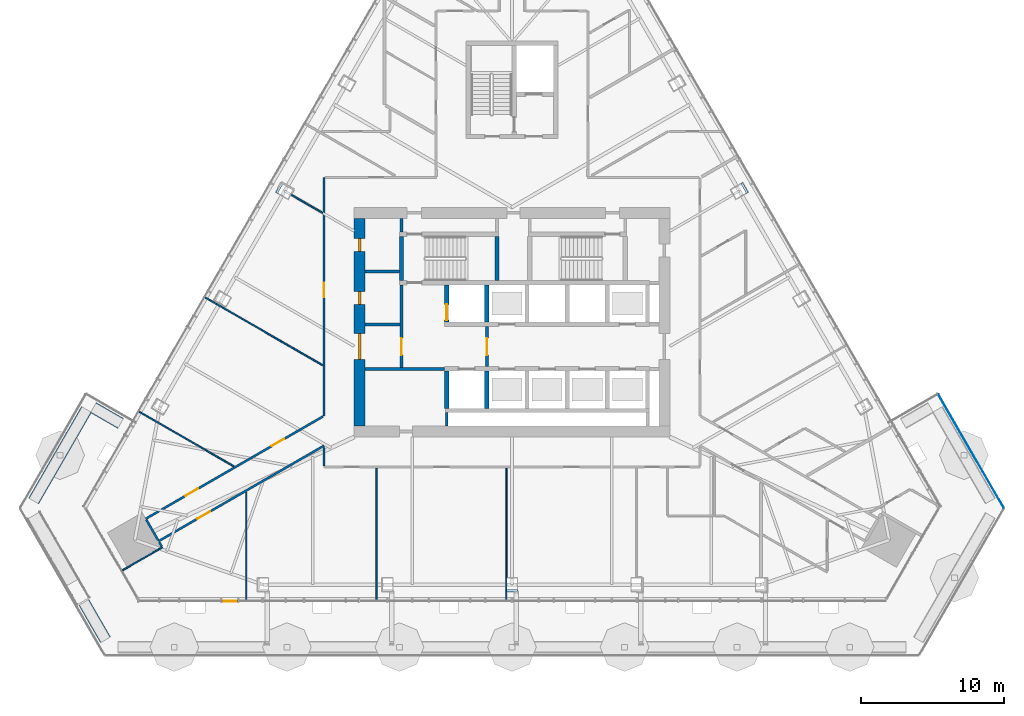
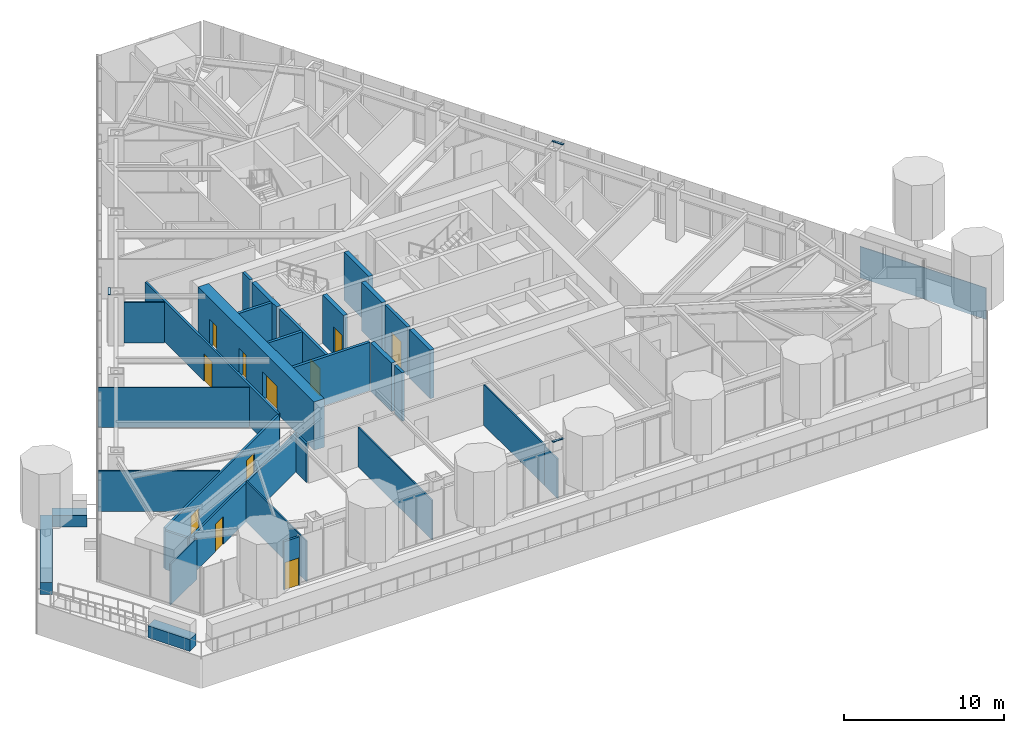
# One storey, part 15 of 24: 32 walls, 11 doors, 4 plates, 11 openings, 1 element without a shape of its own.
"""IFC4 building model written with IfcOpenShell, lengths in metres."""

from ifc_helpers import new_model, si_unit, direction, frame, frame_2d, origin, place, context, subcontext, project, spatial, polyline, rectangle, outline, extrude, material, layer, layer_set, type_object, element, fill, aggregate, save


model = new_model("IFC4")

# Units and contexts
model_context = context("Model", 3, precision=1e-05, world=origin(), true_north=direction((0.0, 1.0)))
body_context = subcontext(model_context, "Body", "Model", "MODEL_VIEW")
ifc_project = project(units=[si_unit("LENGTHUNIT", "METRE"), si_unit("AREAUNIT", "SQUARE_METRE"), si_unit("VOLUMEUNIT", "CUBIC_METRE"), si_unit("PLANEANGLEUNIT", "RADIAN"), si_unit("MASSUNIT", "GRAM", prefix="KILO")], contexts=[model_context])

# Site, building, storey
site_placement = place(None, origin())
site = spatial("IfcSite", under=ifc_project, at=site_placement, CompositionType="ELEMENT")
building_placement = place(site_placement, origin())
building = spatial("IfcBuilding", under=site, at=building_placement, Name="Firuza Gate Tower and Library", CompositionType="ELEMENT")
storey_placement = place(building_placement, frame((0.0, 0.0, 194.800048828125)))
storey = spatial("IfcBuildingStorey", under=building, at=storey_placement, Name="L45", CompositionType="ELEMENT", Elevation=194.800048828125)

# Plates
ifc_material_1 = material(Name="Steel S355", Category="steel")
ifc_layer_1 = layer(ifc_material_1, 0.030029296875)
ifc_layer_set_1 = layer_set([ifc_layer_1], Name="Column infill plate 30 Steel S355")
plate_type_1 = type_object("IfcPlateType", Name="Column infill plate 30 Steel S355", PredefinedType="SHEET", material=ifc_layer_set_1)
placement = place(storey_placement, frame((0.0, 0.0, 3.89990234375)))
element("IfcPlate", 1, at=placement, inside=storey, type_object=plate_type_1, Name="Infill plate L45:S3", PredefinedType="SHEET", context=body_context, shape_type="SweptSolid", body=[
    extrude(outline(polyline([(75.39990234375, 56.198974609375), (75.39990234375, 56.3583984375), (74.60009765625, 56.3583984375), (74.60009765625, 56.198974609375), (75.39990234375, 56.198974609375)])), origin(), (0.0, 0.0, 1.0), 0.030029296875),
])
element("IfcPlate", 2, at=placement, inside=storey, type_object=plate_type_1, Name="Infill plate L45:E3", PredefinedType="SHEET", context=body_context, shape_type="SweptSolid", body=[
    extrude(outline(polyline([(90.21630859375, 84.2470703125), (90.21630859375, 84.2470703125), (90.944091796875, 84.667236328125), (91.34423828125, 83.974365234375), (91.482177734375, 84.05419921875), (91.082275390625, 84.7470703125), (90.21630859375, 84.2470703125)])), origin(), (0.0, 0.0, 1.0), 0.030029296875),
])
element("IfcPlate", 3, at=placement, inside=storey, type_object=plate_type_1, Name="Infill plate L45:W3", PredefinedType="SHEET", context=body_context, shape_type="SweptSolid", body=[
    extrude(outline(polyline([(58.517822265625, 84.05419921875), (58.65576171875, 83.974365234375), (59.055908203125, 84.667236328125), (59.78369140625, 84.2470703125), (59.78369140625, 84.2470703125), (58.917724609375, 84.7470703125), (58.517822265625, 84.05419921875)])), origin(), (0.0, 0.0, 1.0), 0.030029296875),
])
ifc_material_2 = material(Name="Aluminium 6063-T6", Category="aluminium")
ifc_layer_2 = layer(ifc_material_2, 0.050048828125)
ifc_layer_set_2 = layer_set([ifc_layer_2], Name="Tray fascia panel 50")
plate_type_2 = type_object("IfcPlateType", Name="Tray fascia panel 50", PredefinedType="SHEET", material=ifc_layer_set_2)
plate_4_placement = place(storey_placement, frame((109.303955078125, 62.0849609375, -2.400146484375), z_axis=(0.866071736773, 0.499919740322, 0.0), x_axis=(-0.499919740322, 0.866071736773, 0.0)))
element("IfcPlate", 4, at=plate_4_placement, inside=storey, type_object=plate_type_2, Name="Tray fascia L45 5", PredefinedType="SHEET", context=body_context, shape_type="SweptSolid", body=[
    extrude(outline(polyline([(0.0, 0.0), (9.105465509716032, 0.0), (9.105465509716032, 2.400146484375), (0.0, 2.400146484375), (0.0, 0.0)])), origin(), (0.0, 0.0, -1.0), 0.050048828125),
])

# Walls
ifc_material_3 = material(Name="Plasterboard on steel studs", Category="steel")
ifc_layer_3 = layer(ifc_material_3, 0.199951171875)
ifc_layer_set_3 = layer_set([ifc_layer_3], Name="Core partition 200 EI 120")
wall_type_1 = type_object("IfcWallType", Name="Core partition 200 EI 120", PredefinedType="PARTITIONING", material=ifc_layer_set_3)
wall_1_placement = place(storey_placement, frame((64.75, 71.75, 0.0), z_axis=(0.0, 0.0, 1.0), x_axis=(1.0, 0.0, 0.0)))
element("IfcWall", 5, at=wall_1_placement, inside=storey, type_object=wall_type_1, Name="Core partition L45 1", PredefinedType="PARTITIONING", context=body_context, shape_type="SweptSolid", body=[
    extrude(rectangle(XDim=5.550048828125, YDim=0.199951171875, at=frame_2d((2.77490234375, 0.0))), origin(), (0.0, 0.0, 1.0), 3.699951171875),
])
wall_2_placement = place(storey_placement, frame((70.449951171875, 67.75, 0.0), z_axis=(0.0, 0.0, 1.0), x_axis=(0.0, 1.0, 0.0)))
element("IfcWall", 6, at=wall_2_placement, inside=storey, type_object=wall_type_1, Name="Core partition L45 9", PredefinedType="PARTITIONING", context=body_context, shape_type="SweptSolid", body=[
    extrude(rectangle(XDim=0.949951171875, YDim=0.199951171875, at=frame_2d((0.47509765625, 0.0))), origin(), (0.0, 0.0, 1.0), 3.699951171875),
])
ifc_material_4 = material(Name="Plasterboard on steel studs", Category="steel")
ifc_layer_4 = layer(ifc_material_4, 0.199951171875)
ifc_layer_set_4 = layer_set([ifc_layer_4], Name="Core partition 200 EI 60")
wall_type_2 = type_object("IfcWallType", Name="Core partition 200 EI 60", PredefinedType="PARTITIONING", material=ifc_layer_set_4)
wall_3_placement = place(storey_placement, frame((64.75, 74.85009765625, 0.0), z_axis=(0.0, 0.0, 1.0), x_axis=(1.0, 0.0, 0.0)))
element("IfcWall", 7, at=wall_3_placement, inside=storey, type_object=wall_type_2, Name="Core partition L45 3", PredefinedType="PARTITIONING", context=body_context, shape_type="SweptSolid", body=[
    extrude(rectangle(XDim=2.449951171875, YDim=0.199951171875, at=frame_2d((1.22509765625, 0.0))), origin(), (0.0, 0.0, 1.0), 3.699951171875),
])
wall_4_placement = place(storey_placement, frame((64.75, 78.550048828125, 0.0), z_axis=(0.0, 0.0, 1.0), x_axis=(1.0, 0.0, 0.0)))
element("IfcWall", 8, at=wall_4_placement, inside=storey, type_object=wall_type_2, Name="Core partition L45 6", PredefinedType="PARTITIONING", context=body_context, shape_type="SweptSolid", body=[
    extrude(rectangle(XDim=2.39990234375, YDim=0.199951171875, at=frame_2d((1.199951171875, 0.0))), origin(), (0.0, 0.0, 1.0), 3.699951171875),
])

# Wall, opening, door
wall_5_placement = place(storey_placement, frame((67.300048828125, 71.85009765625, 0.0), z_axis=(0.0, 0.0, 1.0), x_axis=(0.0, 1.0, 0.0)))
wall_5 = element("IfcWall", 9, at=wall_5_placement, inside=storey, type_object=wall_type_2, Name="Core partition L45 7", PredefinedType="PARTITIONING", context=body_context, shape_type="SweptSolid", body=[
    extrude(rectangle(XDim=5.75, YDim=0.199951171875, at=frame_2d((2.875, 0.0))), origin(), (0.0, 0.0, 1.0), 3.699951171875),
])
opening_1_placement = place(wall_5_placement, frame((0.85009765625, 0.0, 0.0)))
opening_1 = element("IfcOpeningElement", 10, at=opening_1_placement, cuts=wall_5, Name="Opening L45-K19", PredefinedType="OPENING", context=body_context, shape_type="SweptSolid", body=[
    extrude(rectangle(XDim=1.199951171875, YDim=2.10009765625, at=frame_2d((0.60009765625, 1.050048828125))), frame((0.0, 0.10986328125, 0.0), z_axis=(0.0, -1.0, 0.0), x_axis=(1.0, 0.0, 0.0)), (0.0, 0.0, 1.0), 0.219970703125),
])
ifc_material_5 = material(Name="Steel", Category="steel")
door_type_1 = type_object("IfcDoorType", Name="Fire door 1200x2100 FD90S", OperationType="NOTDEFINED", PredefinedType="DOOR", material=ifc_material_5)
door_1_placement = place(opening_1_placement, origin())
door_1 = element("IfcDoor", 11, at=door_1_placement, inside=storey, type_object=door_type_1, Name="Door L45-K19", OperationType="SINGLE_SWING_RIGHT", OverallHeight=2.10009765625, OverallWidth=1.199951171875, PredefinedType="DOOR", context=body_context, shape_type="SweptSolid", body=[
    extrude(rectangle(XDim=1.199951171875, YDim=2.10009765625, at=frame_2d((0.60009765625, 1.050048828125))), frame((0.0, 0.02490234375, 0.0), z_axis=(0.0, -1.0, 0.0), x_axis=(1.0, 0.0, 0.0)), (0.0, 0.0, 1.0), 0.050048828125),
])
fill(opening_1, door_1)

# Wall
wall_6_placement = place(storey_placement, frame((67.300048828125, 81.280029296875, 0.0), z_axis=(0.0, 0.0, 1.0), x_axis=(0.0, 1.0, 0.0)))
element("IfcWall", 12, at=wall_6_placement, inside=storey, type_object=wall_type_2, Name="Core partition L45 8", PredefinedType="PARTITIONING", context=body_context, shape_type="SweptSolid", body=[
    extrude(rectangle(XDim=0.969970703125, YDim=0.199951171875, at=frame_2d((0.48486328125, 0.0))), origin(), (0.0, 0.0, 1.0), 3.699951171875),
])

# Wall, opening, door
wall_7_placement = place(storey_placement, frame((73.25, 71.89990234375, 0.0), z_axis=(0.0, 0.0, 1.0), x_axis=(0.0, 1.0, 0.0)))
wall_7 = element("IfcWall", 13, at=wall_7_placement, inside=storey, type_object=wall_type_2, Name="Core partition L45 10", PredefinedType="PARTITIONING", context=body_context, shape_type="SweptSolid", body=[
    extrude(rectangle(XDim=2.800048828125, YDim=0.199951171875, at=frame_2d((1.39990234375, 0.0))), origin(), (0.0, 0.0, 1.0), 3.699951171875),
])
opening_2_placement = place(wall_7_placement, frame((0.800048828125, 0.0, 0.0)))
opening_2 = element("IfcOpeningElement", 14, at=opening_2_placement, cuts=wall_7, Name="Opening L45-K18", PredefinedType="OPENING", context=body_context, shape_type="SweptSolid", body=[
    extrude(rectangle(XDim=1.199951171875, YDim=2.10009765625, at=frame_2d((0.60009765625, 1.050048828125))), frame((0.0, 0.10986328125, 0.0), z_axis=(0.0, -1.0, 0.0), x_axis=(1.0, 0.0, 0.0)), (0.0, 0.0, 1.0), 0.219970703125),
])
door_2_placement = place(opening_2_placement, origin())
door_2 = element("IfcDoor", 15, at=door_2_placement, inside=storey, type_object=door_type_1, Name="Door L45-K18", OperationType="SINGLE_SWING_LEFT", OverallHeight=2.10009765625, OverallWidth=1.199951171875, PredefinedType="DOOR", context=body_context, shape_type="SweptSolid", body=[
    extrude(rectangle(XDim=1.199951171875, YDim=2.10009765625, at=frame_2d((0.60009765625, 1.050048828125))), frame((0.0, 0.02490234375, 0.0), z_axis=(0.0, -1.0, 0.0), x_axis=(1.0, 0.0, 0.0)), (0.0, 0.0, 1.0), 0.050048828125),
])
fill(opening_2, door_2)

# Wall
ifc_material_6 = material(Name="Concrete C80/95", Category="concrete")
ifc_layer_5 = layer(ifc_material_6, 0.300048828125)
ifc_layer_set_5 = layer_set([ifc_layer_5], Name="Core wall 300 C80/95")
wall_type_3 = type_object("IfcWallType", Name="Core wall 300 C80/95", PredefinedType="SHEAR", material=ifc_layer_set_5)
wall_8_placement = place(storey_placement, frame((70.449951171875, 69.0, 0.0), z_axis=(0.0, 0.0, 1.0), x_axis=(0.0, 1.0, 0.0)))
element("IfcWall", 16, at=wall_8_placement, inside=storey, type_object=wall_type_3, Name="Core wall L45 8", PredefinedType="SHEAR", context=body_context, shape_type="SweptSolid", body=[
    extrude(rectangle(XDim=2.60009765625, YDim=0.300048828125, at=frame_2d((1.300048828125, 0.0))), origin(), (0.0, 0.0, 1.0), 3.699951171875),
])

# Wall, opening, door
wall_9_placement = place(storey_placement, frame((70.449951171875, 75.0, 0.0), z_axis=(0.0, 0.0, 1.0), x_axis=(0.0, 1.0, 0.0)))
wall_9 = element("IfcWall", 17, at=wall_9_placement, inside=storey, type_object=wall_type_3, Name="Core wall L45 9", PredefinedType="SHEAR", context=body_context, shape_type="SweptSolid", body=[
    extrude(rectangle(XDim=2.60009765625, YDim=0.300048828125, at=frame_2d((1.300048828125, 0.0))), origin(), (0.0, 0.0, 1.0), 3.699951171875),
])
opening_3_placement = place(wall_9_placement, frame((0.14990234375, 0.0, 0.0)))
opening_3 = element("IfcOpeningElement", 18, at=opening_3_placement, cuts=wall_9, Name="Opening LD-FF2-L45", PredefinedType="OPENING", context=body_context, shape_type="SweptSolid", body=[
    extrude(rectangle(XDim=1.10009765625, YDim=2.10009765625, at=frame_2d((0.550048828125, 1.050048828125))), frame((0.0, 0.16015625, 0.0), z_axis=(0.0, -1.0, 0.0), x_axis=(1.0, 0.0, 0.0)), (0.0, 0.0, 1.0), 0.320068359375),
])
ifc_material_7 = material(Name="Stainless steel", Category="steel")
door_type_2 = type_object("IfcDoorType", Name="Lift landing door 1100x2100", OperationType="DOUBLE_DOOR_SLIDING", PredefinedType="DOOR", material=ifc_material_7)
door_3_placement = place(opening_3_placement, origin())
door_3 = element("IfcDoor", 19, at=door_3_placement, inside=storey, type_object=door_type_2, Name="Landing door FF2 L45", OperationType="DOUBLE_DOOR_SLIDING", OverallHeight=2.10009765625, OverallWidth=1.10009765625, PredefinedType="DOOR", context=body_context, shape_type="SweptSolid", body=[
    extrude(rectangle(XDim=1.10009765625, YDim=2.10009765625, at=frame_2d((0.550048828125, 1.050048828125))), frame((0.0, 0.02490234375, 0.0), z_axis=(0.0, -1.0, 0.0), x_axis=(1.0, 0.0, 0.0)), (0.0, 0.0, 1.0), 0.050048828125),
])
fill(opening_3, door_3)

# Walls
for number, where, z_axis, x_axis, name in (
    (20, (73.25, 69.0, 0.0), (0.0, 0.0, 1.0), (0.0, 1.0, 0.0), "Core wall L45 10"),
    (21, (73.25, 75.0, 0.0), (0.0, 0.0, 1.0), (0.0, 1.0, 0.0), "Core wall L45 11"),
):
    element("IfcWall", number, at=place(storey_placement, frame(where, z_axis=z_axis, x_axis=x_axis)), inside=storey, type_object=wall_type_3, Name=name, PredefinedType="SHEAR", context=body_context, shape_type="SweptSolid", body=[
        extrude(rectangle(XDim=2.60009765625, YDim=0.300048828125, at=frame_2d((1.300048828125, 0.0))), origin(), (0.0, 0.0, 1.0), 3.699951171875),
    ])
for number, where, z_axis, x_axis, name in (
    (22, (67.300048828125, 77.89990234375, 0.0), (0.0, 0.0, 1.0), (0.0, 1.0, 0.0), "Core wall L45 23"),
    (23, (73.9599609375, 77.89990234375, 0.0), (0.0, 0.0, 1.0), (0.0, 1.0, 0.0), "Core wall L45 24"),
):
    element("IfcWall", number, at=place(storey_placement, frame(where, z_axis=z_axis, x_axis=x_axis)), inside=storey, type_object=wall_type_3, Name=name, PredefinedType="SHEAR", context=body_context, shape_type="SweptSolid", body=[
        extrude(rectangle(XDim=3.080078125, YDim=0.300048828125, at=frame_2d((1.5400390625, 0.0))), origin(), (0.0, 0.0, 1.0), 3.699951171875),
    ])

# Wall, openings, doors
ifc_material_8 = material(Name="Concrete C80/95", Category="concrete")
ifc_layer_6 = layer(ifc_material_8, 0.75)
ifc_layer_set_6 = layer_set([ifc_layer_6], Name="Core wall 750 C80/95")
wall_type_4 = type_object("IfcWallType", Name="Core wall 750 C80/95", PredefinedType="SHEAR", material=ifc_layer_set_6)
wall_10_placement = place(storey_placement, frame((64.375, 67.75, 0.0), z_axis=(0.0, 0.0, 1.0), x_axis=(0.0, 1.0, 0.0)))
wall_10 = element("IfcWall", 24, at=wall_10_placement, inside=storey, type_object=wall_type_4, Name="Core wall L45 3", PredefinedType="SHEAR", context=body_context, shape_type="SweptSolid", body=[
    extrude(rectangle(XDim=14.5, YDim=0.75, at=frame_2d((7.25, 0.0))), origin(), (0.0, 0.0, 1.0), 3.699951171875),
])
opening_4_placement = place(wall_10_placement, frame((4.64990234375, 0.0, 0.0)))
opening_4 = element("IfcOpeningElement", 25, at=opening_4_placement, cuts=wall_10, Name="Opening L45-K20", PredefinedType="OPENING", context=body_context, shape_type="SweptSolid", body=[
    extrude(rectangle(XDim=1.800048828125, YDim=2.10009765625, at=frame_2d((0.89990234375, 1.050048828125))), frame((0.0, 0.385009765625, 0.0), z_axis=(0.0, -1.0, 0.0), x_axis=(1.0, 0.0, 0.0)), (0.0, 0.0, 1.0), 0.77001953125),
])
opening_5_placement = place(wall_10_placement, frame((8.5, 0.0, 0.0)))
opening_5 = element("IfcOpeningElement", 26, at=opening_5_placement, cuts=wall_10, Name="Opening L45-K23", PredefinedType="OPENING", context=body_context, shape_type="SweptSolid", body=[
    extrude(rectangle(XDim=0.89990234375, YDim=2.10009765625, at=frame_2d((0.449951171875, 1.050048828125))), frame((0.0, 0.385009765625, 0.0), z_axis=(0.0, -1.0, 0.0), x_axis=(1.0, 0.0, 0.0)), (0.0, 0.0, 1.0), 0.77001953125),
])
opening_6_placement = place(wall_10_placement, frame((12.199951171875, 0.0, 0.0)))
opening_6 = element("IfcOpeningElement", 27, at=opening_6_placement, cuts=wall_10, Name="Opening L45-K24", PredefinedType="OPENING", context=body_context, shape_type="SweptSolid", body=[
    extrude(rectangle(XDim=0.89990234375, YDim=2.10009765625, at=frame_2d((0.449951171875, 1.050048828125))), frame((0.0, 0.385009765625, 0.0), z_axis=(0.0, -1.0, 0.0), x_axis=(1.0, 0.0, 0.0)), (0.0, 0.0, 1.0), 0.77001953125),
])
ifc_material_9 = material(Name="Steel", Category="steel")
door_type_3 = type_object("IfcDoorType", Name="Fire door 1800x2100 FD30S", OperationType="NOTDEFINED", PredefinedType="DOOR", material=ifc_material_9)
door_4_placement = place(opening_4_placement, origin())
door_4 = element("IfcDoor", 28, at=door_4_placement, inside=storey, type_object=door_type_3, Name="Door L45-K20", OperationType="SINGLE_SWING_LEFT", OverallHeight=2.10009765625, OverallWidth=1.800048828125, PredefinedType="DOOR", context=body_context, shape_type="SweptSolid", body=[
    extrude(rectangle(XDim=1.800048828125, YDim=2.10009765625, at=frame_2d((0.89990234375, 1.050048828125))), frame((0.0, 0.094970703125, 0.0), z_axis=(0.0, -1.0, 0.0), x_axis=(1.0, 0.0, 0.0)), (0.0, 0.0, 1.0), 0.18994140625),
])
fill(opening_4, door_4)
ifc_material_10 = material(Name="Steel", Category="steel")
door_type_4 = type_object("IfcDoorType", Name="Fire door 900x2100 FD30S", OperationType="NOTDEFINED", PredefinedType="DOOR", material=ifc_material_10)
door_5_placement = place(opening_5_placement, origin())
door_5 = element("IfcDoor", 29, at=door_5_placement, inside=storey, type_object=door_type_4, Name="Door L45-K23", OperationType="SINGLE_SWING_RIGHT", OverallHeight=2.10009765625, OverallWidth=0.89990234375, PredefinedType="DOOR", context=body_context, shape_type="SweptSolid", body=[
    extrude(rectangle(XDim=0.89990234375, YDim=2.10009765625, at=frame_2d((0.449951171875, 1.050048828125))), frame((0.0, 0.094970703125, 0.0), z_axis=(0.0, -1.0, 0.0), x_axis=(1.0, 0.0, 0.0)), (0.0, 0.0, 1.0), 0.18994140625),
])
fill(opening_5, door_5)
door_6_placement = place(opening_6_placement, origin())
door_6 = element("IfcDoor", 30, at=door_6_placement, inside=storey, type_object=door_type_4, Name="Door L45-K24", OperationType="SINGLE_SWING_LEFT", OverallHeight=2.10009765625, OverallWidth=0.89990234375, PredefinedType="DOOR", context=body_context, shape_type="SweptSolid", body=[
    extrude(rectangle(XDim=0.89990234375, YDim=2.10009765625, at=frame_2d((0.449951171875, 1.050048828125))), frame((0.0, 0.094970703125, 0.0), z_axis=(0.0, -1.0, 0.0), x_axis=(1.0, 0.0, 0.0)), (0.0, 0.0, 1.0), 0.18994140625),
])
fill(opening_6, door_6)

# Wall, opening, door
ifc_material_11 = material(Name="Gypsum board partition")
ifc_layer_7 = layer(ifc_material_11, 0.14990234375)
ifc_layer_set_7 = layer_set([ifc_layer_7], Name="Corridor wall 150 double board on steel studs")
wall_type_5 = type_object("IfcWallType", Name="Corridor wall 150 double board on steel studs", PredefinedType="PARTITIONING", material=ifc_layer_set_7)
wall_11_placement = place(storey_placement, frame((61.89990234375, 66.3974609375, 0.0), z_axis=(0.0, 0.0, 1.0), x_axis=(-0.866028400299, -0.499994809849, 0.0)))
wall_11 = element("IfcWall", 31, at=wall_11_placement, inside=storey, type_object=wall_type_5, Name="f:L45:w020", PredefinedType="PARTITIONING", context=body_context, shape_type="SweptSolid", body=[
    extrude(rectangle(XDim=13.320556640625, YDim=0.14990234375, at=frame_2d((6.66015625, 0.0))), origin(), (0.0, 0.0, 1.0), 2.947021484375),
])
opening_7_placement = place(wall_11_placement, frame((9.19189453125, 0.0, 0.0)))
opening_7 = element("IfcOpeningElement", 32, at=opening_7_placement, cuts=wall_11, Name="Opening L45-15", PredefinedType="OPENING", context=body_context, shape_type="SweptSolid", body=[
    extrude(rectangle(XDim=1.0, YDim=2.10009765625, at=frame_2d((0.5, 1.050048828125))), frame((0.0, 0.0849609375, 0.0), z_axis=(0.0, -1.0, 0.0), x_axis=(1.0, 0.0, 0.0)), (0.0, 0.0, 1.0), 0.169921875),
])
ifc_material_12 = material(Name="Steel door and timber leaf", Category="steel")
door_type_5 = type_object("IfcDoorType", Name="Fire door 1000 x 2100 steel frame, timber leaf", OperationType="NOTDEFINED", PredefinedType="DOOR", material=ifc_material_12)
door_7_placement = place(opening_7_placement, origin())
door_7 = element("IfcDoor", 33, at=door_7_placement, inside=storey, type_object=door_type_5, Name="f:L45:d015", OperationType="SINGLE_SWING_RIGHT", OverallHeight=2.10009765625, OverallWidth=1.0, PredefinedType="DOOR", context=body_context, shape_type="SweptSolid", body=[
    extrude(rectangle(XDim=1.0, YDim=2.10009765625, at=frame_2d((0.5, 1.050048828125))), frame((0.0, 0.02490234375, 0.0), z_axis=(0.0, -1.0, 0.0), x_axis=(1.0, 0.0, 0.0)), (0.0, 0.0, 1.0), 0.050048828125),
])
fill(opening_7, door_7)

# Wall, openings, doors
wall_12_placement = place(storey_placement, frame((49.46435546875, 61.29638671875, 0.0), z_axis=(0.0, 0.0, 1.0), x_axis=(0.866030342482, 0.499991445827, 0.0)))
wall_12 = element("IfcWall", 34, at=wall_12_placement, inside=storey, type_object=wall_type_5, Name="f:L45:w021", PredefinedType="PARTITIONING", context=body_context, shape_type="SweptSolid", body=[
    extrude(rectangle(XDim=14.272705078125, YDim=0.14990234375, at=frame_2d((7.13623046875, 0.0))), origin(), (0.0, 0.0, 1.0), 3.099853515625),
])
opening_8_placement = place(wall_12_placement, frame((3.20263671875, 0.0, 0.0)))
opening_8 = element("IfcOpeningElement", 35, at=opening_8_placement, cuts=wall_12, Name="Opening L45-16", PredefinedType="OPENING", context=body_context, shape_type="SweptSolid", body=[
    extrude(rectangle(XDim=1.0, YDim=2.10009765625, at=frame_2d((0.5, 1.050048828125))), frame((0.0, 0.0849609375, 0.0), z_axis=(0.0, -1.0, 0.0), x_axis=(1.0, 0.0, 0.0)), (0.0, 0.0, 1.0), 0.169921875),
])
opening_9_placement = place(wall_12_placement, frame((10.1357421875, 0.0, 0.0)))
opening_9 = element("IfcOpeningElement", 36, at=opening_9_placement, cuts=wall_12, Name="Opening L45-17", PredefinedType="OPENING", context=body_context, shape_type="SweptSolid", body=[
    extrude(rectangle(XDim=1.0, YDim=2.10009765625, at=frame_2d((0.5, 1.050048828125))), frame((0.0, 0.0849609375, 0.0), z_axis=(0.0, -1.0, 0.0), x_axis=(1.0, 0.0, 0.0)), (0.0, 0.0, 1.0), 0.169921875),
])
door_8_placement = place(opening_8_placement, origin())
door_8 = element("IfcDoor", 37, at=door_8_placement, inside=storey, type_object=door_type_5, Name="f:L45:d016", OperationType="SINGLE_SWING_LEFT", OverallHeight=2.10009765625, OverallWidth=1.0, PredefinedType="DOOR", context=body_context, shape_type="SweptSolid", body=[
    extrude(rectangle(XDim=1.0, YDim=2.10009765625, at=frame_2d((0.5, 1.050048828125))), frame((0.0, 0.02490234375, 0.0), z_axis=(0.0, -1.0, 0.0), x_axis=(1.0, 0.0, 0.0)), (0.0, 0.0, 1.0), 0.050048828125),
])
fill(opening_8, door_8)
door_9_placement = place(opening_9_placement, origin())
door_9 = element("IfcDoor", 38, at=door_9_placement, inside=storey, type_object=door_type_5, Name="f:L45:d017", OperationType="SINGLE_SWING_RIGHT", OverallHeight=2.10009765625, OverallWidth=1.0, PredefinedType="DOOR", context=body_context, shape_type="SweptSolid", body=[
    extrude(rectangle(XDim=1.0, YDim=2.10009765625, at=frame_2d((0.5, 1.050048828125))), frame((0.0, 0.02490234375, 0.0), z_axis=(0.0, -1.0, 0.0), x_axis=(1.0, 0.0, 0.0)), (0.0, 0.0, 1.0), 0.050048828125),
])
fill(opening_9, door_9)

# Wall
wall_13_placement = place(storey_placement, frame((61.89990234375, 64.9755859375, 0.0), z_axis=(0.0, 0.0, 1.0), x_axis=(0.0, 1.0, 0.0)))
element("IfcWall", 39, at=wall_13_placement, inside=storey, type_object=wall_type_5, Name="f:L45:w056", PredefinedType="PARTITIONING", context=body_context, shape_type="SweptSolid", body=[
    extrude(rectangle(XDim=1.285400390625, YDim=0.14990234375, at=frame_2d((0.642578125, 0.0))), origin(), (0.0, 0.0, 1.0), 2.947021484375),
])

# Wall, opening, door
wall_14_placement = place(storey_placement, frame((61.89990234375, 68.47607421875, 0.0), z_axis=(0.0, 0.0, 1.0), x_axis=(0.0, 1.0, 0.0)))
wall_14 = element("IfcWall", 40, at=wall_14_placement, inside=storey, type_object=wall_type_5, Name="f:L45:w057", PredefinedType="PARTITIONING", context=body_context, shape_type="SweptSolid", body=[
    extrude(rectangle(XDim=16.62353515625, YDim=0.14990234375, at=frame_2d((8.311767578125, 0.0))), origin(), (0.0, 0.0, 1.0), 3.099853515625),
])
opening_10_placement = place(wall_14_placement, frame((8.2763671875, 0.0, 0.0)))
opening_10 = element("IfcOpeningElement", 41, at=opening_10_placement, cuts=wall_14, Name="Opening L45-28", PredefinedType="OPENING", context=body_context, shape_type="SweptSolid", body=[
    extrude(rectangle(XDim=1.0, YDim=2.10009765625, at=frame_2d((0.5, 1.050048828125))), frame((0.0, 0.0849609375, 0.0), z_axis=(0.0, -1.0, 0.0), x_axis=(1.0, 0.0, 0.0)), (0.0, 0.0, 1.0), 0.169921875),
])
door_10_placement = place(opening_10_placement, origin())
door_10 = element("IfcDoor", 42, at=door_10_placement, inside=storey, type_object=door_type_5, Name="f:L45:d028", OperationType="SINGLE_SWING_LEFT", OverallHeight=2.10009765625, OverallWidth=1.0, PredefinedType="DOOR", context=body_context, shape_type="SweptSolid", body=[
    extrude(rectangle(XDim=1.0, YDim=2.10009765625, at=frame_2d((0.5, 1.050048828125))), frame((0.0, 0.02490234375, 0.0), z_axis=(0.0, -1.0, 0.0), x_axis=(1.0, 0.0, 0.0)), (0.0, 0.0, 1.0), 0.050048828125),
])
fill(opening_10, door_10)

# Walls
wall_15_placement = place(storey_placement, frame((50.588623046875, 59.347900390625, 0.0), z_axis=(0.0, 0.0, 1.0), x_axis=(-0.499854089722, 0.866109628736, 0.0)))
element("IfcWall", 43, at=wall_15_placement, inside=storey, type_object=wall_type_5, Name="f:L45:w059", PredefinedType="PARTITIONING", context=body_context, shape_type="SweptSolid", body=[
    extrude(rectangle(XDim=0.37451171875, YDim=0.14990234375, at=frame_2d((0.187255859375, 0.0))), origin(), (0.0, 0.0, 1.0), 3.099853515625),
])
wall_16_placement = place(storey_placement, frame((50.326416015625, 59.80224609375, 0.0), z_axis=(0.0, 0.0, 1.0), x_axis=(-0.500055614084, 0.865993292597, 0.0)))
element("IfcWall", 44, at=wall_16_placement, inside=storey, type_object=wall_type_5, Name="f:L45:w082", PredefinedType="PARTITIONING", context=body_context, shape_type="SweptSolid", body=[
    extrude(rectangle(XDim=1.649169921875, YDim=0.14990234375, at=frame_2d((0.82470703125, 0.0))), origin(), (0.0, 0.0, 1.0), 2.947021484375),
])
ifc_material_13 = material(Name="Gypsum board partition")
ifc_layer_8 = layer(ifc_material_13, 0.10009765625)
ifc_layer_set_8 = layer_set([ifc_layer_8], Name="Partition 100 gypsum board on steel studs")
wall_type_6 = type_object("IfcWallType", Name="Partition 100 gypsum board on steel studs", PredefinedType="PARTITIONING", material=ifc_layer_set_8)
wall_17_placement = place(storey_placement, frame((47.79052734375, 57.67431640625, 0.0), z_axis=(0.0, 0.0, 1.0), x_axis=(0.866054628924, 0.499949377157, 0.0)))
element("IfcWall", 45, at=wall_17_placement, inside=storey, type_object=wall_type_6, Name="f:L45:w019", PredefinedType="PARTITIONING", context=body_context, shape_type="SweptSolid", body=[
    extrude(rectangle(XDim=3.259521484375, YDim=0.10009765625, at=frame_2d((1.6298828125, 0.0))), origin(), (0.0, 0.0, 1.0), 3.099853515625),
])
wall_18_placement = place(storey_placement, frame((74.614990234375, 57.199462890625, 0.0), z_axis=(0.0, 0.0, 1.0), x_axis=(0.0, 1.0, 0.0)))
element("IfcWall", 46, at=wall_18_placement, inside=storey, type_object=wall_type_6, Name="f:L45:w046", PredefinedType="PARTITIONING", context=body_context, shape_type="SweptSolid", body=[
    extrude(rectangle(XDim=7.62548828125, YDim=0.10009765625, at=frame_2d((3.812744140625, 0.0))), origin(), (0.0, 0.0, 1.0), 3.099853515625),
])
wall_19_placement = place(storey_placement, frame((74.60009765625, 55.598876953125, 0.0), z_axis=(0.0, 0.0, 1.0), x_axis=(0.0, 1.0, 0.0)))
element("IfcWall", 47, at=wall_19_placement, inside=storey, type_object=wall_type_6, Name="f:L45:w047", PredefinedType="PARTITIONING", context=body_context, shape_type="SweptSolid", body=[
    extrude(rectangle(XDim=1.599365234375, YDim=0.10009765625, at=frame_2d((0.7998046875, 0.0))), origin(), (0.0, 0.0, 1.0), 3.02197265625),
])
wall_20_placement = place(storey_placement, frame((65.5439453125, 55.598876953125, 0.0), z_axis=(0.0, 0.0, 1.0), x_axis=(0.0, 1.0, 0.0)))
element("IfcWall", 48, at=wall_20_placement, inside=storey, type_object=wall_type_6, Name="f:L45:w055", PredefinedType="PARTITIONING", context=body_context, shape_type="SweptSolid", body=[
    extrude(rectangle(XDim=9.22607421875, YDim=0.10009765625, at=frame_2d((4.613037109375, 0.0))), origin(), (0.0, 0.0, 1.0), 3.02197265625),
])
wall_21_placement = place(storey_placement, frame((56.472900390625, 55.598876953125, 0.0), z_axis=(0.0, 0.0, 1.0), x_axis=(0.0, 1.0, 0.0)))
element("IfcWall", 49, at=wall_21_placement, inside=storey, type_object=wall_type_6, Name="f:L45:w058", PredefinedType="PARTITIONING", context=body_context, shape_type="SweptSolid", body=[
    extrude(rectangle(XDim=7.548828125, YDim=0.10009765625, at=frame_2d((3.7744140625, 0.0))), origin(), (0.0, 0.0, 1.0), 3.099853515625),
])
wall_22_placement = place(storey_placement, frame((61.799072265625, 82.62158203125, 0.0), z_axis=(0.0, 0.0, 1.0), x_axis=(-0.866013897511, 0.50001992892, 0.0)))
element("IfcWall", 50, at=wall_22_placement, inside=storey, type_object=wall_type_6, Name="f:L45:w073", PredefinedType="PARTITIONING", context=body_context, shape_type="SweptSolid", body=[
    extrude(rectangle(XDim=2.5576171875, YDim=0.10009765625, at=frame_2d((1.27880859375, 0.0))), origin(), (0.0, 0.0, 1.0), 3.099853515625),
])
wall_23_placement = place(storey_placement, frame((61.799072265625, 71.99951171875, 0.0), z_axis=(0.0, 0.0, 1.0), x_axis=(-0.866021141126, 0.500007383068, 0.0)))
element("IfcWall", 51, at=wall_23_placement, inside=storey, type_object=wall_type_6, Name="f:L45:w077", PredefinedType="PARTITIONING", context=body_context, shape_type="SweptSolid", body=[
    extrude(rectangle(XDim=9.468994140625, YDim=0.10009765625, at=frame_2d((4.734375, 0.0))), origin(), (0.0, 0.0, 1.0), 3.02197265625),
])
wall_24_placement = place(storey_placement, frame((55.600830078125, 64.9560546875, 0.0), z_axis=(0.0, 0.0, 1.0), x_axis=(-0.866019180744, 0.500010778468, 0.0)))
element("IfcWall", 52, at=wall_24_placement, inside=storey, type_object=wall_type_6, Name="f:L45:w078", PredefinedType="PARTITIONING", context=body_context, shape_type="SweptSolid", body=[
    extrude(rectangle(XDim=7.622802734375, YDim=0.10009765625, at=frame_2d((3.8115234375, 0.0))), origin(), (0.0, 0.0, 1.0), 3.099853515625),
])
ifc_material_14 = material(Name="Concrete C40/50", Category="concrete")
ifc_layer_9 = layer(ifc_material_14, 0.800048828125)
ifc_layer_set_9 = layer_set([ifc_layer_9], Name="Planter wall 800")
wall_type_7 = type_object("IfcWallType", Name="Planter wall 800", PredefinedType="SOLIDWALL", material=ifc_layer_set_9)
wall_25_placement = place(storey_placement, frame((47.71630859375, 67.945556640625, 0.0), z_axis=(0.0, 0.0, 1.0), x_axis=(-0.866008176907, 0.50002983664, 0.0)))
element("IfcWall", 53, at=wall_25_placement, inside=storey, type_object=wall_type_7, Name="PLANTER L45 1", PredefinedType="SOLIDWALL", context=body_context, shape_type="SweptSolid", body=[
    extrude(rectangle(XDim=2.199951171875, YDim=0.800048828125, at=frame_2d((1.10009765625, 0.0))), origin(), (0.0, 0.0, 1.0), 0.89990234375),
])
wall_26_placement = place(storey_placement, frame((45.3330078125, 68.91748046875, 0.0), z_axis=(0.0, 0.0, 1.0), x_axis=(-0.499999805269, -0.866025516212, 0.0)))
element("IfcWall", 54, at=wall_26_placement, inside=storey, type_object=wall_type_7, Name="PLANTER L45 2", PredefinedType="SOLIDWALL", context=body_context, shape_type="SweptSolid", body=[
    extrude(rectangle(XDim=7.36572265625, YDim=0.800048828125, at=frame_2d((3.682861328125, 0.0))), origin(), (0.0, 0.0, 1.0), 0.89990234375),
])
wall_27_placement = place(storey_placement, frame((45.150146484375, 55.467529296875, 0.0), z_axis=(0.0, 0.0, 1.0), x_axis=(0.500044479129, -0.865999722224, 0.0)))
element("IfcWall", 55, at=wall_27_placement, inside=storey, type_object=wall_type_7, Name="PLANTER L45 3", PredefinedType="SOLIDWALL", context=body_context, shape_type="SweptSolid", body=[
    extrude(rectangle(XDim=3.018798828125, YDim=0.800048828125, at=frame_2d((1.50927734375, 0.0))), origin(), (0.0, 0.0, 1.0), 0.89990234375),
])

# Curtain wall, wall, opening, door
ifc_material_15 = material(Name="Aluminium 6063-T6", Category="aluminium")
ifc_layer_10 = layer(ifc_material_15, 0.14990234375)
ifc_layer_set_10 = layer_set([ifc_layer_10], Name="Unitised curtain wall, hotel")
curtain_wall_type = type_object("IfcCurtainWallType", Name="Unitised curtain wall, hotel", PredefinedType="NOTDEFINED", material=ifc_layer_set_10)
curtain_wall_placement = place(storey_placement, origin())
curtain_wall = element("IfcCurtainWall", 56, at=curtain_wall_placement, inside=storey, type_object=curtain_wall_type, Name="CW2 L45 S face", PredefinedType="NOTDEFINED")
ifc_material_16 = material(Name="Aluminium 6063-T6", Category="aluminium")
ifc_layer_11 = layer(ifc_material_16, 0.14990234375)
ifc_layer_set_11 = layer_set([ifc_layer_11], Name="Terrace door wall 150")
wall_type_8 = type_object("IfcWallType", Name="Terrace door wall 150", PredefinedType="SOLIDWALL", material=ifc_layer_set_11)
wall_28_placement = place(storey_placement, frame((54.75927734375, 55.553955078125, 0.0), z_axis=(0.0, 0.0, 1.0), x_axis=(1.0, 0.0, 0.0)))
wall_28 = element("IfcWall", 57, at=wall_28_placement, type_object=wall_type_8, Name="Terrace door wall", PredefinedType="SOLIDWALL", context=body_context, shape_type="SweptSolid", body=[
    extrude(rectangle(XDim=1.1201171875, YDim=0.14990234375, at=frame_2d((0.56005859375, 0.0))), origin(), (0.0, 0.0, 1.0), 3.699951171875),
])
opening_11_placement = place(wall_28_placement, frame((0.06005859375, 0.0, 0.0)))
opening_11 = element("IfcOpeningElement", 58, at=opening_11_placement, cuts=wall_28, Name="Opening DR6", PredefinedType="OPENING", context=body_context, shape_type="SweptSolid", body=[
    extrude(rectangle(XDim=1.0, YDim=2.10009765625, at=frame_2d((0.5, 1.050048828125))), frame((0.0, 0.0849609375, 0.0), z_axis=(0.0, -1.0, 0.0), x_axis=(1.0, 0.0, 0.0)), (0.0, 0.0, 1.0), 0.169921875),
])
ifc_material_17 = material(Name="Aluminium 6063-T6 and glass", Category="aluminium")
door_type_6 = type_object("IfcDoorType", Name="Terrace door 1000x2100", OperationType="NOTDEFINED", PredefinedType="DOOR", material=ifc_material_17)
door_11_placement = place(opening_11_placement, origin())
door_11 = element("IfcDoor", 59, at=door_11_placement, inside=storey, type_object=door_type_6, Name="Terrace door", OperationType="SINGLE_SWING_RIGHT", OverallHeight=2.10009765625, OverallWidth=1.0, PredefinedType="DOOR", context=body_context, shape_type="SweptSolid", body=[
    extrude(rectangle(XDim=1.0, YDim=2.10009765625, at=frame_2d((0.5, 1.050048828125))), frame((0.0, 0.02490234375, 0.0), z_axis=(0.0, -1.0, 0.0), x_axis=(1.0, 0.0, 0.0)), (0.0, 0.0, 1.0), 0.050048828125),
])
fill(opening_11, door_11)
aggregate(curtain_wall, [wall_28])

save(model, "model.ifc")
